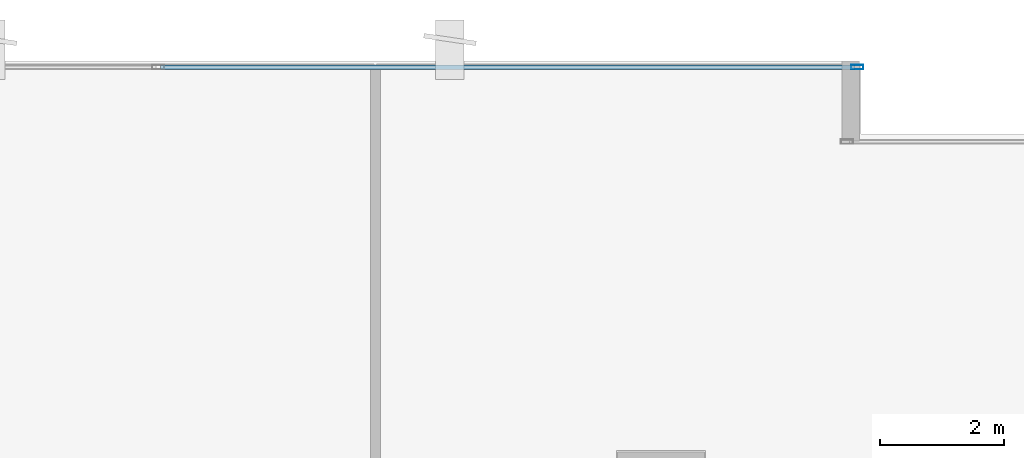
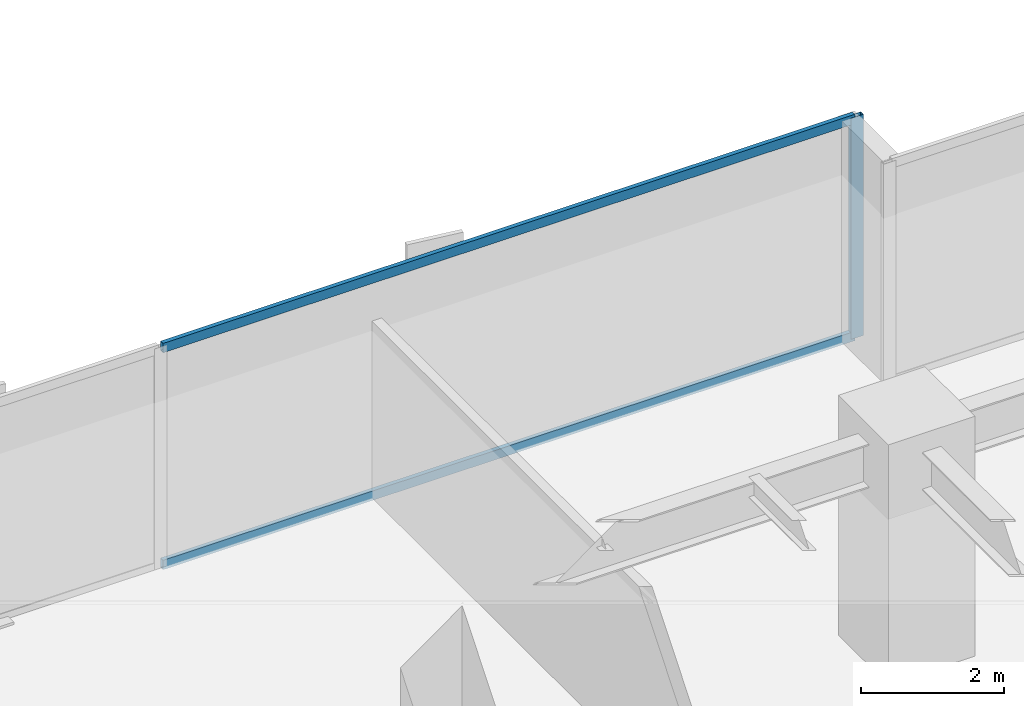
# One storey, part 16 of 37: 3 members, 1 element without a shape of its own.
"""IFC4 building model written with IfcOpenShell, lengths in metres."""

from ifc_helpers import new_model, si_unit, direction, frame, origin, origin_2d, place, context, subcontext, project, spatial, hollow_rectangle, extrude, source, transform, mapped, material, layer, layer_set, material_profile, profile_set, type_object, type_shapes, element, aggregate, save


model = new_model("IFC4")

# Units and contexts
model_context = context("Model", 3, precision=1e-05, world=origin(), true_north=direction((0.0, 1.0)))
body_context = subcontext(model_context, "Body", "Model", "MODEL_VIEW")
ifc_project = project(units=[si_unit("LENGTHUNIT", "METRE"), si_unit("AREAUNIT", "SQUARE_METRE"), si_unit("VOLUMEUNIT", "CUBIC_METRE"), si_unit("PLANEANGLEUNIT", "RADIAN"), si_unit("MASSUNIT", "GRAM", prefix="KILO")], contexts=[model_context])

# Site, building, storey
site_placement = place(None, origin())
site = spatial("IfcSite", under=ifc_project, at=site_placement, CompositionType="ELEMENT")
building_placement = place(site_placement, origin())
building = spatial("IfcBuilding", under=site, at=building_placement, Name="Haelvirn Gate Laboratories", CompositionType="ELEMENT")
storey_placement = place(building_placement, frame((0.0, 0.0, 74.39990234375)))
storey = spatial("IfcBuildingStorey", under=building, at=storey_placement, Name="L18", CompositionType="ELEMENT", Elevation=74.39990234375)

# Curtain wall, members
ifc_material_1 = material(Name="Anodised bronze unitised aluminium & triple low-E glass", Category="aluminium")
ifc_layer = layer(ifc_material_1, 0.18408203125, Name="CW-SYS-2")
ifc_layer_set = layer_set([ifc_layer], Name="Anodised bronze unitised aluminium & triple low-E glass")
curtain_wall_type = type_object("IfcCurtainWallType", Name="CW-SYS-2", PredefinedType="NOTDEFINED", material=ifc_layer_set)
curtain_wall_placement = place(storey_placement, origin())
curtain_wall = element("IfcCurtainWall", 1, at=curtain_wall_placement, inside=storey, type_object=curtain_wall_type, Name="L18 Unitised Curtain Wall CW-L18-P0-E14-1", PredefinedType="NOTDEFINED")
ifc_material_2 = material(Name="Extruded aluminium 6063-T6 (anodised bronze)", Category="aluminium")
ifc_material_profile_1 = material_profile(ifc_material_2, hollow_rectangle(XDim=0.074951171875, YDim=0.199951171875, WallThickness=0.0048828125, at=origin_2d()), Name="CWM-200x75x5")
ifc_profile_set_1 = profile_set([ifc_material_profile_1], Name="Extruded aluminium 6063-T6 (anodised bronze)")
member_type_1 = type_object("IfcMemberType", Name="CWM-T200", PredefinedType="MULLION", material=ifc_profile_set_1)
shared_shape_1 = source(origin(), body_context, "Body", "SweptSolid", [
    extrude(hollow_rectangle(XDim=0.074951171875, YDim=0.199951171875, WallThickness=0.0048828125, at=origin_2d()), origin(), (0.0, 0.0, 1.0), 3.780029296875),
])
type_shapes(member_type_1, [shared_shape_1])
member_1_placement = place(storey_placement, frame((25.362548828125, 48.5, 0.0), z_axis=(0.0, 0.0, 1.0), x_axis=(0.0, 1.0, 0.0)))
member_1 = element("IfcMember", 2, at=member_1_placement, type_object=member_type_1, Name="CW2 mullion 3", PredefinedType="MULLION", context=body_context, shape_type="MappedRepresentation", body=[
    mapped(shared_shape_1, transform((0.0, 0.0, 0.0), scale=1.0)),
])
ifc_material_profile_2 = material_profile(ifc_material_2, hollow_rectangle(XDim=0.070068359375, YDim=0.159912109375, WallThickness=0.0048828125, at=origin_2d()), Name="CWT-160x70x5")
ifc_profile_set_2 = profile_set([ifc_material_profile_2], Name="Extruded aluminium 6063-T6 (anodised bronze)")
member_type_2 = type_object("IfcMemberType", Name="CWT-T160", PredefinedType="USERDEFINED", material=ifc_profile_set_2)
shared_shape_2 = source(origin(), body_context, "Body", "SweptSolid", [
    extrude(hollow_rectangle(XDim=0.070068359375, YDim=0.159912109375, WallThickness=0.0048828125, at=origin_2d()), origin(), (0.0, 0.0, 1.0), 11.1875),
])
type_shapes(member_type_2, [shared_shape_2])
member_2_placement = place(storey_placement, frame((14.137451171875, 48.5, 0.03515625), z_axis=(1.0, 0.0, 0.0), x_axis=(0.0, 1.0, 0.0)))
member_2 = element("IfcMember", 3, at=member_2_placement, type_object=member_type_2, Name="CW2 transom 2.1", ObjectType="TRANSOM", PredefinedType="USERDEFINED", context=body_context, shape_type="MappedRepresentation", body=[
    mapped(shared_shape_2, transform((0.0, 0.0, 0.0), scale=1.0)),
])
member_3_placement = place(storey_placement, frame((14.137451171875, 48.5, 3.7451171875), z_axis=(1.0, 0.0, 0.0), x_axis=(0.0, 1.0, 0.0)))
member_3 = element("IfcMember", 4, at=member_3_placement, type_object=member_type_2, Name="CW2 transom 2.2", ObjectType="TRANSOM", PredefinedType="USERDEFINED", context=body_context, shape_type="MappedRepresentation", body=[
    mapped(shared_shape_2, transform((0.0, 0.0, 0.0), scale=1.0)),
])
aggregate(curtain_wall, [member_1, member_2, member_3])

save(model, "model.ifc")
